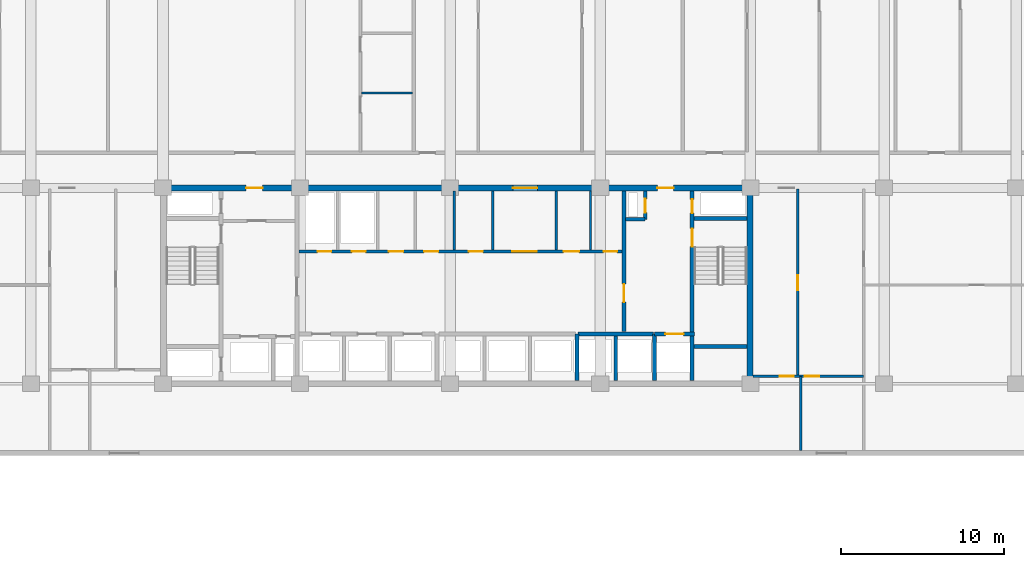
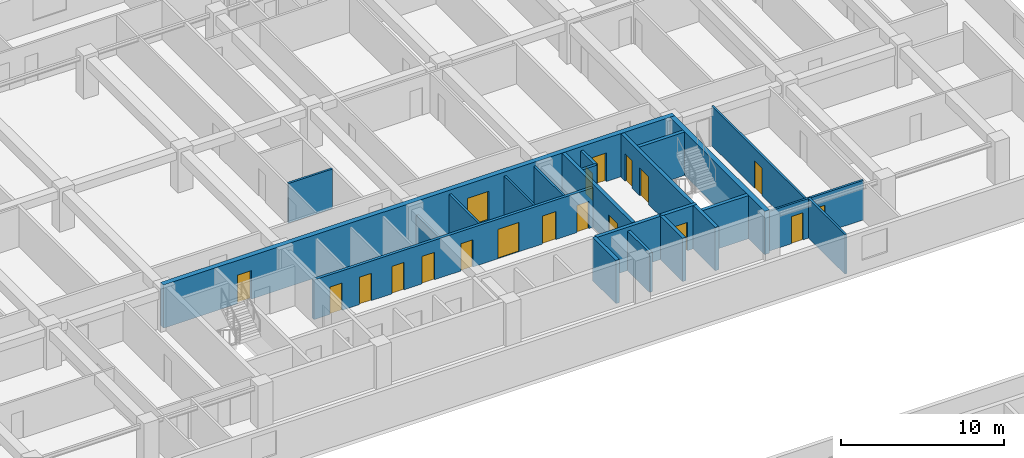
# One storey, part 12 of 23: 22 walls, 19 doors, 19 openings.
"""IFC4 building model written with IfcOpenShell, lengths in metres."""

from ifc_helpers import new_model, si_unit, direction, frame, frame_2d, origin, place, context, subcontext, project, spatial, rectangle, extrude, material, layer, layer_set, type_object, element, fill, save


model = new_model("IFC4")

# Units and contexts
model_context = context("Model", 3, precision=1e-05, world=origin(), true_north=direction((0.0, 1.0)))
body_context = subcontext(model_context, "Body", "Model", "MODEL_VIEW")
ifc_project = project(units=[si_unit("LENGTHUNIT", "METRE"), si_unit("AREAUNIT", "SQUARE_METRE"), si_unit("VOLUMEUNIT", "CUBIC_METRE"), si_unit("PLANEANGLEUNIT", "RADIAN"), si_unit("MASSUNIT", "GRAM", prefix="KILO")], contexts=[model_context])

# Site, building, storey
site_placement = place(None, origin())
site = spatial("IfcSite", under=ifc_project, at=site_placement, CompositionType="ELEMENT")
building_placement = place(site_placement, origin())
building = spatial("IfcBuilding", under=site, at=building_placement, Name="Korimba Cascade Residences", CompositionType="ELEMENT")
storey_placement = place(building_placement, frame((0.0, 0.0, 69.5)))
storey = spatial("IfcBuildingStorey", under=building, at=storey_placement, Name="L19", CompositionType="ELEMENT", Elevation=69.5)

# Wall
ifc_material_1 = material(Name="Concrete C65/80", Category="concrete")
ifc_layer_1 = layer(ifc_material_1, 0.35009765625)
ifc_layer_set_1 = layer_set([ifc_layer_1], Name="Concrete C65/80")
wall_type_1 = type_object("IfcWallType", Name="WAL-CORE-350", PredefinedType="SHEAR", material=ifc_layer_set_1)
wall_1_placement = place(storey_placement, frame((112.074951171875, 55.375, 0.0), z_axis=(0.0, 0.0, 1.0), x_axis=(0.0, 1.0, 0.0)))
element("IfcWall", 1, at=wall_1_placement, inside=storey, type_object=wall_type_1, Name="L19 Core Shear Wall CW-L19-T1-E", PredefinedType="SHEAR", context=body_context, shape_type="SweptSolid", body=[
    extrude(rectangle(XDim=11.64990234375, YDim=0.35009765625, at=frame_2d((5.824951171875, 0.0))), origin(), (0.0, 0.0, 1.0), 3.25),
])

# Wall, openings, doors
wall_2_placement = place(storey_placement, frame((75.949951171875, 67.199951171875, 0.0), z_axis=(0.0, 0.0, 1.0), x_axis=(1.0, 0.0, 0.0)))
wall_2 = element("IfcWall", 2, at=wall_2_placement, inside=storey, type_object=wall_type_1, Name="L19 Core Shear Wall CW-L19-T1-N", PredefinedType="SHEAR", context=body_context, shape_type="SweptSolid", body=[
    extrude(rectangle(XDim=36.300048828125, YDim=0.35009765625, at=frame_2d((18.14990234375, 0.0))), origin(), (0.0, 0.0, 1.0), 3.25),
])
opening_1_placement = place(wall_2_placement, frame((5.25, 0.0, 0.0)))
opening_1 = element("IfcOpeningElement", 3, at=opening_1_placement, cuts=wall_2, Name="Opening D-FD5", PredefinedType="OPENING", context=body_context, shape_type="SweptSolid", body=[
    extrude(rectangle(XDim=1.0, YDim=2.14990234375, at=frame_2d((0.5, 1.074951171875))), frame((0.0, 0.18505859375, 0.0), z_axis=(0.0, -1.0, 0.0), x_axis=(1.0, 0.0, 0.0)), (0.0, 0.0, 1.0), 0.3701171875),
])
opening_2_placement = place(wall_2_placement, frame((21.60009765625, 0.0, 0.0)))
opening_2 = element("IfcOpeningElement", 4, at=opening_2_placement, cuts=wall_2, Name="Opening D-FD8", PredefinedType="OPENING", context=body_context, shape_type="SweptSolid", body=[
    extrude(rectangle(XDim=1.5, YDim=2.199951171875, at=frame_2d((0.75, 1.10009765625))), frame((0.0, 0.18505859375, 0.0), z_axis=(0.0, -1.0, 0.0), x_axis=(1.0, 0.0, 0.0)), (0.0, 0.0, 1.0), 0.3701171875),
])
opening_3_placement = place(wall_2_placement, frame((30.449951171875, 0.0, 0.0)))
opening_3 = element("IfcOpeningElement", 5, at=opening_3_placement, cuts=wall_2, Name="Opening D-FD5", PredefinedType="OPENING", context=body_context, shape_type="SweptSolid", body=[
    extrude(rectangle(XDim=1.0, YDim=2.14990234375, at=frame_2d((0.5, 1.074951171875))), frame((0.0, 0.18505859375, 0.0), z_axis=(0.0, -1.0, 0.0), x_axis=(1.0, 0.0, 0.0)), (0.0, 0.0, 1.0), 0.3701171875),
])
ifc_material_2 = material(Name="Fire-Rated Acoustic Timber Vestibule Door", Category="wood")
door_type_1 = type_object("IfcDoorType", Name="DR-FD90-1000", OperationType="NOTDEFINED", PredefinedType="DOOR", material=ifc_material_2)
door_1_placement = place(opening_1_placement, origin())
door_1 = element("IfcDoor", 6, at=door_1_placement, inside=storey, type_object=door_type_1, Name="L19 T1 West Core Vestibule Fire Door", OperationType="SINGLE_SWING_LEFT", OverallHeight=2.14990234375, OverallWidth=1.0, PredefinedType="DOOR", context=body_context, shape_type="SweptSolid", body=[
    extrude(rectangle(XDim=1.0, YDim=2.14990234375, at=frame_2d((0.5, 1.074951171875))), frame((0.0, 0.02490234375, 0.0), z_axis=(0.0, -1.0, 0.0), x_axis=(1.0, 0.0, 0.0)), (0.0, 0.0, 1.0), 0.050048828125),
])
fill(opening_1, door_1)
door_2_placement = place(opening_3_placement, origin())
door_2 = element("IfcDoor", 7, at=door_2_placement, inside=storey, type_object=door_type_1, Name="L19 T1 East Firefighting Vestibule Fire Door", OperationType="SINGLE_SWING_RIGHT", OverallHeight=2.14990234375, OverallWidth=1.0, PredefinedType="DOOR", context=body_context, shape_type="SweptSolid", body=[
    extrude(rectangle(XDim=1.0, YDim=2.14990234375, at=frame_2d((0.5, 1.074951171875))), frame((0.0, 0.02490234375, 0.0), z_axis=(0.0, -1.0, 0.0), x_axis=(1.0, 0.0, 0.0)), (0.0, 0.0, 1.0), 0.050048828125),
])
fill(opening_3, door_2)
ifc_material_3 = material(Name="Fire-Rated Glazed Lift Lobby Double Door", Category="glass")
door_type_2 = type_object("IfcDoorType", Name="DR-FD90-1500", OperationType="NOTDEFINED", PredefinedType="DOOR", material=ifc_material_3)
door_3_placement = place(opening_2_placement, origin())
door_3 = element("IfcDoor", 8, at=door_3_placement, inside=storey, type_object=door_type_2, Name="L19 T1 Lift Lobby Fire Door", OperationType="DOUBLE_DOOR_SINGLE_SWING", OverallHeight=2.199951171875, OverallWidth=1.5, PredefinedType="DOOR", context=body_context, shape_type="SweptSolid", body=[
    extrude(rectangle(XDim=1.5, YDim=2.199951171875, at=frame_2d((0.75, 1.10009765625))), frame((0.0, 0.02490234375, 0.0), z_axis=(0.0, -1.0, 0.0), x_axis=(1.0, 0.0, 0.0)), (0.0, 0.0, 1.0), 0.050048828125),
])
fill(opening_2, door_3)

# Walls
ifc_material_4 = material(Name="Insulated Acoustic Stud Partition", Category="gypsum")
ifc_layer_2 = layer(ifc_material_4, 0.14990234375)
ifc_layer_set_2 = layer_set([ifc_layer_2], Name="Insulated Acoustic Stud Partition")
wall_type_2 = type_object("IfcWallType", Name="WAL-PART-150", PredefinedType="PARTITIONING", material=ifc_layer_set_2)
wall_3_placement = place(storey_placement, frame((93.949951171875, 63.39990234375, 0.0), z_axis=(0.0, 0.0, 1.0), x_axis=(0.0, 1.0, 0.0)))
element("IfcWall", 9, at=wall_3_placement, inside=storey, type_object=wall_type_2, Name="L19 Partition Wall CW-L19-T1-CA1W2", PredefinedType="PARTITIONING", context=body_context, shape_type="SweptSolid", body=[
    extrude(rectangle(XDim=3.60009765625, YDim=0.14990234375, at=frame_2d((1.800048828125, 0.0))), origin(), (0.0, 0.0, 1.0), 2.219970703125),
])
for number, where, z_axis, x_axis, name in (
    (10, (102.300048828125, 63.39990234375, 0.0), (0.0, 0.0, 1.0), (0.0, 1.0, 0.0), "L19 Partition Wall CW-L19-T1-CA1E1"),
    (11, (96.300048828125, 63.39990234375, 0.0), (0.0, 0.0, 1.0), (0.0, 1.0, 0.0), "L19 Partition Wall CW-L19-T1-THW"),
    (12, (100.199951171875, 63.39990234375, 0.0), (0.0, 0.0, 1.0), (0.0, 1.0, 0.0), "L19 Partition Wall CW-L19-T1-THE"),
):
    element("IfcWall", number, at=place(storey_placement, frame(where, z_axis=z_axis, x_axis=x_axis)), inside=storey, type_object=wall_type_2, Name=name, PredefinedType="PARTITIONING", context=body_context, shape_type="SweptSolid", body=[
        extrude(rectangle(XDim=3.60009765625, YDim=0.14990234375, at=frame_2d((1.800048828125, 0.0))), origin(), (0.0, 0.0, 1.0), 2.969970703125),
    ])

# Wall, opening, door
wall_4_placement = place(storey_placement, frame((115.0, 55.64990234375, 0.0), z_axis=(0.0, 0.0, 1.0), x_axis=(0.0, 1.0, 0.0)))
wall_4 = element("IfcWall", 13, at=wall_4_placement, inside=storey, type_object=wall_type_2, Name="L19 Partition Wall WAL-L19-T1-FE-VN", PredefinedType="PARTITIONING", context=body_context, shape_type="SweptSolid", body=[
    extrude(rectangle(XDim=11.5, YDim=0.14990234375, at=frame_2d((5.75, 0.0))), origin(), (0.0, 0.0, 1.0), 2.969970703125),
])
opening_4_placement = place(wall_4_placement, frame((5.2900390625, 0.0, 0.0)))
opening_4 = element("IfcOpeningElement", 14, at=opening_4_placement, cuts=wall_4, Name="Opening D-IN1", PredefinedType="OPENING", context=body_context, shape_type="SweptSolid", body=[
    extrude(rectangle(XDim=0.919921875, YDim=2.080078125, at=frame_2d((0.4599609375, 1.0400390625))), frame((0.0, 0.0849609375, 0.0), z_axis=(0.0, -1.0, 0.0), x_axis=(1.0, 0.0, 0.0)), (0.0, 0.0, 1.0), 0.169921875),
])
ifc_material_5 = material(Name="Acoustic Timber Living Door", Category="wood")
door_type_3 = type_object("IfcDoorType", Name="DR-INT-920", OperationType="NOTDEFINED", PredefinedType="DOOR", material=ifc_material_5)
door_4_placement = place(opening_4_placement, origin())
door_4 = element("IfcDoor", 15, at=door_4_placement, inside=storey, type_object=door_type_3, Name="L19-T1-FE Living Door", OperationType="SINGLE_SWING_RIGHT", OverallHeight=2.080078125, OverallWidth=0.919921875, PredefinedType="DOOR", context=body_context, shape_type="SweptSolid", body=[
    extrude(rectangle(XDim=0.919921875, YDim=2.080078125, at=frame_2d((0.4599609375, 1.0400390625))), frame((0.0, 0.02490234375, 0.0), z_axis=(0.0, -1.0, 0.0), x_axis=(1.0, 0.0, 0.0)), (0.0, 0.0, 1.0), 0.050048828125),
])
fill(opening_4, door_4)

# Wall
wall_5_placement = place(storey_placement, frame((115.199951171875, 51.10009765625, 0.0), z_axis=(0.0, 0.0, 1.0), x_axis=(0.0, 1.0, 0.0)))
element("IfcWall", 16, at=wall_5_placement, inside=storey, type_object=wall_type_2, Name="L19 Partition Wall WAL-L19-T1-FE-VS", PredefinedType="PARTITIONING", context=body_context, shape_type="SweptSolid", body=[
    extrude(rectangle(XDim=4.5498046875, YDim=0.14990234375, at=frame_2d((2.27490234375, 0.0))), origin(), (0.0, 0.0, 1.0), 2.969970703125),
])

# Wall, openings, doors
wall_6_placement = place(storey_placement, frame((112.27001953125, 55.64990234375, 0.0), z_axis=(0.0, 0.0, 1.0), x_axis=(1.0, 0.0, 0.0)))
wall_6 = element("IfcWall", 17, at=wall_6_placement, inside=storey, type_object=wall_type_2, Name="L19 Partition Wall WAL-L19-T1-FE-H", PredefinedType="PARTITIONING", context=body_context, shape_type="SweptSolid", body=[
    extrude(rectangle(XDim=6.760009765625, YDim=0.14990234375, at=frame_2d((3.3798828125, 0.0))), origin(), (0.0, 0.0, 1.0), 2.969970703125),
])
opening_5_placement = place(wall_6_placement, frame((1.6396484375, 0.0, 0.0)))
opening_5 = element("IfcOpeningElement", 18, at=opening_5_placement, cuts=wall_6, Name="Opening D-BT1", PredefinedType="OPENING", context=body_context, shape_type="SweptSolid", body=[
    extrude(rectangle(XDim=0.840087890625, YDim=2.0400390625, at=frame_2d((0.419921875, 1.02001953125))), frame((0.0, 0.0849609375, 0.0), z_axis=(0.0, -1.0, 0.0), x_axis=(1.0, 0.0, 0.0)), (0.0, 0.0, 1.0), 0.169921875),
])
opening_6_placement = place(wall_6_placement, frame((3.160400390625, 0.0, 0.0)))
opening_6 = element("IfcOpeningElement", 19, at=opening_6_placement, cuts=wall_6, Name="Opening D-IN2", PredefinedType="OPENING", context=body_context, shape_type="SweptSolid", body=[
    extrude(rectangle(XDim=0.8798828125, YDim=2.06005859375, at=frame_2d((0.43994140625, 1.030029296875))), frame((0.0, 0.0849609375, 0.0), z_axis=(0.0, -1.0, 0.0), x_axis=(1.0, 0.0, 0.0)), (0.0, 0.0, 1.0), 0.169921875),
])
ifc_material_6 = material(Name="Moisture-Resistant Bathroom Timber Door", Category="wood")
door_type_4 = type_object("IfcDoorType", Name="DR-INT-850", OperationType="NOTDEFINED", PredefinedType="DOOR", material=ifc_material_6)
door_5_placement = place(opening_5_placement, origin())
door_5 = element("IfcDoor", 20, at=door_5_placement, inside=storey, type_object=door_type_4, Name="L19-T1-FE Bathroom Door", OperationType="SINGLE_SWING_LEFT", OverallHeight=2.0400390625, OverallWidth=0.840087890625, PredefinedType="DOOR", context=body_context, shape_type="SweptSolid", body=[
    extrude(rectangle(XDim=0.840087890625, YDim=2.0400390625, at=frame_2d((0.419921875, 1.02001953125))), frame((0.0, 0.02490234375, 0.0), z_axis=(0.0, -1.0, 0.0), x_axis=(1.0, 0.0, 0.0)), (0.0, 0.0, 1.0), 0.050048828125),
])
fill(opening_5, door_5)
ifc_material_7 = material(Name="Acoustic Timber Bedroom Door", Category="wood")
door_type_5 = type_object("IfcDoorType", Name="DR-INT-880", OperationType="NOTDEFINED", PredefinedType="DOOR", material=ifc_material_7)
door_6_placement = place(opening_6_placement, origin())
door_6 = element("IfcDoor", 21, at=door_6_placement, inside=storey, type_object=door_type_5, Name="L19-T1-FE Bedroom Door", OperationType="SINGLE_SWING_RIGHT", OverallHeight=2.06005859375, OverallWidth=0.8798828125, PredefinedType="DOOR", context=body_context, shape_type="SweptSolid", body=[
    extrude(rectangle(XDim=0.8798828125, YDim=2.06005859375, at=frame_2d((0.43994140625, 1.030029296875))), frame((0.0, 0.02490234375, 0.0), z_axis=(0.0, -1.0, 0.0), x_axis=(1.0, 0.0, 0.0)), (0.0, 0.0, 1.0), 0.050048828125),
])
fill(opening_6, door_6)

# Walls
wall_7_placement = place(storey_placement, frame((88.2509765625, 73.02001953125, 0.0), z_axis=(0.0, 0.0, 1.0), x_axis=(1.0, 0.0, 0.0)))
element("IfcWall", 22, at=wall_7_placement, inside=storey, type_object=wall_type_2, Name="L19 Partition Wall WAL-L19-T1-U02-WCH", PredefinedType="PARTITIONING", context=body_context, shape_type="SweptSolid", body=[
    extrude(rectangle(XDim=3.1298828125, YDim=0.14990234375, at=frame_2d((1.56494140625, 0.0))), origin(), (0.0, 0.0, 1.0), 2.969970703125),
])
ifc_material_8 = material(Name="Concrete C40/50", Category="concrete")
ifc_layer_3 = layer(ifc_material_8, 0.199951171875)
ifc_layer_set_3 = layer_set([ifc_layer_3], Name="Concrete C40/50")
wall_type_3 = type_object("IfcWallType", Name="WAL-PART-200", PredefinedType="PARTITIONING", material=ifc_layer_set_3)
wall_8_placement = place(storey_placement, frame((103.85009765625, 55.39990234375, 0.0), z_axis=(0.0, 0.0, 1.0), x_axis=(0.0, 1.0, 0.0)))
element("IfcWall", 23, at=wall_8_placement, inside=storey, type_object=wall_type_3, Name="L19 Partition Wall CW-L19-T1-B3D1", PredefinedType="PARTITIONING", context=body_context, shape_type="SweptSolid", body=[
    extrude(rectangle(XDim=2.72021484375, YDim=0.199951171875, at=frame_2d((1.360107421875, 0.0))), origin(), (0.0, 0.0, 1.0), 2.969970703125),
])

# Wall, openings, doors
wall_9_placement = place(storey_placement, frame((84.419921875, 63.300048828125, 0.0), z_axis=(0.0, 0.0, 1.0), x_axis=(1.0, 0.0, 0.0)))
wall_9 = element("IfcWall", 24, at=wall_9_placement, inside=storey, type_object=wall_type_3, Name="L19 Partition Wall CW-L19-T1-SRVROW", PredefinedType="PARTITIONING", context=body_context, shape_type="SweptSolid", body=[
    extrude(rectangle(XDim=19.830078125, YDim=0.199951171875, at=frame_2d((9.9150390625, 0.0))), origin(), (0.0, 0.0, 1.0), 2.969970703125),
])
opening_7_placement = place(wall_9_placement, frame((1.14990234375, 0.0, 0.0)))
opening_7 = element("IfcOpeningElement", 25, at=opening_7_placement, cuts=wall_9, Name="Opening D-RS1", PredefinedType="OPENING", context=body_context, shape_type="SweptSolid", body=[
    extrude(rectangle(XDim=0.85009765625, YDim=2.050048828125, at=frame_2d((0.425048828125, 1.02490234375))), frame((0.0, 0.10986328125, 0.0), z_axis=(0.0, -1.0, 0.0), x_axis=(1.0, 0.0, 0.0)), (0.0, 0.0, 1.0), 0.219970703125),
])
opening_8_placement = place(wall_9_placement, frame((3.25, 0.0, 0.0)))
opening_8 = element("IfcOpeningElement", 26, at=opening_8_placement, cuts=wall_9, Name="Opening D-RS1", PredefinedType="OPENING", context=body_context, shape_type="SweptSolid", body=[
    extrude(rectangle(XDim=0.85009765625, YDim=2.050048828125, at=frame_2d((0.425048828125, 1.02490234375))), frame((0.0, 0.10986328125, 0.0), z_axis=(0.0, -1.0, 0.0), x_axis=(1.0, 0.0, 0.0)), (0.0, 0.0, 1.0), 0.219970703125),
])
opening_9_placement = place(wall_9_placement, frame((13.080078125, 0.0, 0.0)))
opening_9 = element("IfcOpeningElement", 27, at=opening_9_placement, cuts=wall_9, Name="Opening D-FD8", PredefinedType="OPENING", context=body_context, shape_type="SweptSolid", body=[
    extrude(rectangle(XDim=1.5, YDim=2.199951171875, at=frame_2d((0.75, 1.10009765625))), frame((0.0, 0.10986328125, 0.0), z_axis=(0.0, -1.0, 0.0), x_axis=(1.0, 0.0, 0.0)), (0.0, 0.0, 1.0), 0.219970703125),
])
opening_10_placement = place(wall_9_placement, frame((5.530029296875, 0.0, 0.0)))
opening_10 = element("IfcOpeningElement", 28, at=opening_10_placement, cuts=wall_9, Name="Opening D-IN2", PredefinedType="OPENING", context=body_context, shape_type="SweptSolid", body=[
    extrude(rectangle(XDim=0.8798828125, YDim=2.06005859375, at=frame_2d((0.43994140625, 1.030029296875))), frame((0.0, 0.10986328125, 0.0), z_axis=(0.0, -1.0, 0.0), x_axis=(1.0, 0.0, 0.0)), (0.0, 0.0, 1.0), 0.219970703125),
])
opening_11_placement = place(wall_9_placement, frame((7.679931640625, 0.0, 0.0)))
opening_11 = element("IfcOpeningElement", 29, at=opening_11_placement, cuts=wall_9, Name="Opening D-IN2", PredefinedType="OPENING", context=body_context, shape_type="SweptSolid", body=[
    extrude(rectangle(XDim=0.8798828125, YDim=2.06005859375, at=frame_2d((0.43994140625, 1.030029296875))), frame((0.0, 0.10986328125, 0.0), z_axis=(0.0, -1.0, 0.0), x_axis=(1.0, 0.0, 0.0)), (0.0, 0.0, 1.0), 0.219970703125),
])
opening_12_placement = place(wall_9_placement, frame((10.429931640625, 0.0, 0.0)))
opening_12 = element("IfcOpeningElement", 30, at=opening_12_placement, cuts=wall_9, Name="Opening D-RS1", PredefinedType="OPENING", context=body_context, shape_type="SweptSolid", body=[
    extrude(rectangle(XDim=0.85009765625, YDim=2.050048828125, at=frame_2d((0.425048828125, 1.02490234375))), frame((0.0, 0.10986328125, 0.0), z_axis=(0.0, -1.0, 0.0), x_axis=(1.0, 0.0, 0.0)), (0.0, 0.0, 1.0), 0.219970703125),
])
opening_13_placement = place(wall_9_placement, frame((16.22998046875, 0.0, 0.0)))
opening_13 = element("IfcOpeningElement", 31, at=opening_13_placement, cuts=wall_9, Name="Opening D-AC1", PredefinedType="OPENING", context=body_context, shape_type="SweptSolid", body=[
    extrude(rectangle(XDim=0.9599609375, YDim=2.10009765625, at=frame_2d((0.47998046875, 1.050048828125))), frame((0.0, 0.10986328125, 0.0), z_axis=(0.0, -1.0, 0.0), x_axis=(1.0, 0.0, 0.0)), (0.0, 0.0, 1.0), 0.219970703125),
])
opening_14_placement = place(wall_9_placement, frame((18.679931640625, 0.0, 0.0)))
opening_14 = element("IfcOpeningElement", 32, at=opening_14_placement, cuts=wall_9, Name="Opening D-BT1", PredefinedType="OPENING", context=body_context, shape_type="SweptSolid", body=[
    extrude(rectangle(XDim=0.840087890625, YDim=2.0400390625, at=frame_2d((0.419921875, 1.02001953125))), frame((0.0, 0.10986328125, 0.0), z_axis=(0.0, -1.0, 0.0), x_axis=(1.0, 0.0, 0.0)), (0.0, 0.0, 1.0), 0.219970703125),
])
ifc_material_9 = material(Name="Accessible Acoustic Timber WC Door", Category="wood")
door_type_6 = type_object("IfcDoorType", Name="DR-ACC-950", OperationType="NOTDEFINED", PredefinedType="DOOR", material=ifc_material_9)
door_7_placement = place(opening_13_placement, origin())
door_7 = element("IfcDoor", 33, at=door_7_placement, inside=storey, type_object=door_type_6, Name="L19 Accessible Staff WC Door", OperationType="SINGLE_SWING_RIGHT", OverallHeight=2.10009765625, OverallWidth=0.9599609375, PredefinedType="DOOR", context=body_context, shape_type="SweptSolid", body=[
    extrude(rectangle(XDim=0.9599609375, YDim=2.10009765625, at=frame_2d((0.47998046875, 1.050048828125))), frame((0.0, 0.02490234375, 0.0), z_axis=(0.0, -1.0, 0.0), x_axis=(1.0, 0.0, 0.0)), (0.0, 0.0, 1.0), 0.050048828125),
])
fill(opening_13, door_7)
ifc_material_10 = material(Name="Fire-Rated Steel Riser Access Door", Category="steel")
door_type_7 = type_object("IfcDoorType", Name="DR-FD60-850", OperationType="NOTDEFINED", PredefinedType="DOOR", material=ifc_material_10)
door_8_placement = place(opening_7_placement, origin())
door_8 = element("IfcDoor", 34, at=door_8_placement, inside=storey, type_object=door_type_7, Name="L19 Electrical Riser Door", OperationType="SINGLE_SWING_LEFT", OverallHeight=2.050048828125, OverallWidth=0.85009765625, PredefinedType="DOOR", context=body_context, shape_type="SweptSolid", body=[
    extrude(rectangle(XDim=0.85009765625, YDim=2.050048828125, at=frame_2d((0.425048828125, 1.02490234375))), frame((0.0, 0.02490234375, 0.0), z_axis=(0.0, -1.0, 0.0), x_axis=(1.0, 0.0, 0.0)), (0.0, 0.0, 1.0), 0.050048828125),
])
fill(opening_7, door_8)
door_9_placement = place(opening_8_placement, origin())
door_9 = element("IfcDoor", 35, at=door_9_placement, inside=storey, type_object=door_type_7, Name="L19 Plumbing Riser Door", OperationType="SINGLE_SWING_RIGHT", OverallHeight=2.050048828125, OverallWidth=0.85009765625, PredefinedType="DOOR", context=body_context, shape_type="SweptSolid", body=[
    extrude(rectangle(XDim=0.85009765625, YDim=2.050048828125, at=frame_2d((0.425048828125, 1.02490234375))), frame((0.0, 0.02490234375, 0.0), z_axis=(0.0, -1.0, 0.0), x_axis=(1.0, 0.0, 0.0)), (0.0, 0.0, 1.0), 0.050048828125),
])
fill(opening_8, door_9)
door_10_placement = place(opening_12_placement, origin())
door_10 = element("IfcDoor", 36, at=door_10_placement, inside=storey, type_object=door_type_7, Name="L19 IT Room Door", OperationType="SINGLE_SWING_LEFT", OverallHeight=2.050048828125, OverallWidth=0.85009765625, PredefinedType="DOOR", context=body_context, shape_type="SweptSolid", body=[
    extrude(rectangle(XDim=0.85009765625, YDim=2.050048828125, at=frame_2d((0.425048828125, 1.02490234375))), frame((0.0, 0.02490234375, 0.0), z_axis=(0.0, -1.0, 0.0), x_axis=(1.0, 0.0, 0.0)), (0.0, 0.0, 1.0), 0.050048828125),
])
fill(opening_12, door_10)
door_11_placement = place(opening_9_placement, origin())
door_11 = element("IfcDoor", 37, at=door_11_placement, inside=storey, type_object=door_type_2, Name="L19 Lift Lobby Foyer Archway Door", OperationType="DOUBLE_DOOR_SINGLE_SWING", OverallHeight=2.199951171875, OverallWidth=1.5, PredefinedType="DOOR", context=body_context, shape_type="SweptSolid", body=[
    extrude(rectangle(XDim=1.5, YDim=2.199951171875, at=frame_2d((0.75, 1.10009765625))), frame((0.0, 0.02490234375, 0.0), z_axis=(0.0, -1.0, 0.0), x_axis=(1.0, 0.0, 0.0)), (0.0, 0.0, 1.0), 0.050048828125),
])
fill(opening_9, door_11)
door_12_placement = place(opening_14_placement, origin())
door_12 = element("IfcDoor", 38, at=door_12_placement, inside=storey, type_object=door_type_4, Name="L19 Vending Room Door", OperationType="SINGLE_SWING_LEFT", OverallHeight=2.0400390625, OverallWidth=0.840087890625, PredefinedType="DOOR", context=body_context, shape_type="SweptSolid", body=[
    extrude(rectangle(XDim=0.840087890625, YDim=2.0400390625, at=frame_2d((0.419921875, 1.02001953125))), frame((0.0, 0.02490234375, 0.0), z_axis=(0.0, -1.0, 0.0), x_axis=(1.0, 0.0, 0.0)), (0.0, 0.0, 1.0), 0.050048828125),
])
fill(opening_14, door_12)
door_13_placement = place(opening_10_placement, origin())
door_13 = element("IfcDoor", 39, at=door_13_placement, inside=storey, type_object=door_type_5, Name="L19 Cleaners Door", OperationType="SINGLE_SWING_LEFT", OverallHeight=2.06005859375, OverallWidth=0.8798828125, PredefinedType="DOOR", context=body_context, shape_type="SweptSolid", body=[
    extrude(rectangle(XDim=0.8798828125, YDim=2.06005859375, at=frame_2d((0.43994140625, 1.030029296875))), frame((0.0, 0.02490234375, 0.0), z_axis=(0.0, -1.0, 0.0), x_axis=(1.0, 0.0, 0.0)), (0.0, 0.0, 1.0), 0.050048828125),
])
fill(opening_10, door_13)
door_14_placement = place(opening_11_placement, origin())
door_14 = element("IfcDoor", 40, at=door_14_placement, inside=storey, type_object=door_type_5, Name="L19 Pantry Door", OperationType="SINGLE_SWING_RIGHT", OverallHeight=2.06005859375, OverallWidth=0.8798828125, PredefinedType="DOOR", context=body_context, shape_type="SweptSolid", body=[
    extrude(rectangle(XDim=0.8798828125, YDim=2.06005859375, at=frame_2d((0.43994140625, 1.030029296875))), frame((0.0, 0.02490234375, 0.0), z_axis=(0.0, -1.0, 0.0), x_axis=(1.0, 0.0, 0.0)), (0.0, 0.0, 1.0), 0.050048828125),
])
fill(opening_11, door_14)

# Wall
wall_10_placement = place(storey_placement, frame((104.449951171875, 65.280029296875, 0.0), z_axis=(0.0, 0.0, 1.0), x_axis=(1.0, 0.0, 0.0)))
element("IfcWall", 41, at=wall_10_placement, inside=storey, type_object=wall_type_3, Name="L19 Partition Wall CW-L19-T1-HYDW2S", PredefinedType="PARTITIONING", context=body_context, shape_type="SweptSolid", body=[
    extrude(rectangle(XDim=1.199951171875, YDim=0.199951171875, at=frame_2d((0.60009765625, 0.0))), origin(), (0.0, 0.0, 1.0), 2.969970703125),
])

# Wall, opening, door
wall_11_placement = place(storey_placement, frame((105.64990234375, 65.280029296875, 0.0), z_axis=(0.0, 0.0, 1.0), x_axis=(0.0, 1.0, 0.0)))
wall_11 = element("IfcWall", 42, at=wall_11_placement, inside=storey, type_object=wall_type_3, Name="L19 Partition Wall CW-L19-T1-HYDW2E", PredefinedType="PARTITIONING", context=body_context, shape_type="SweptSolid", body=[
    extrude(rectangle(XDim=1.719970703125, YDim=0.199951171875, at=frame_2d((0.85986328125, 0.0))), origin(), (0.0, 0.0, 1.0), 2.969970703125),
])
opening_15_placement = place(wall_11_placement, frame((0.39990234375, 0.0, 0.0)))
opening_15 = element("IfcOpeningElement", 43, at=opening_15_placement, cuts=wall_11, Name="Opening D-RS1", PredefinedType="OPENING", context=body_context, shape_type="SweptSolid", body=[
    extrude(rectangle(XDim=0.85009765625, YDim=2.050048828125, at=frame_2d((0.425048828125, 1.02490234375))), frame((0.0, 0.10986328125, 0.0), z_axis=(0.0, -1.0, 0.0), x_axis=(1.0, 0.0, 0.0)), (0.0, 0.0, 1.0), 0.219970703125),
])
door_15_placement = place(opening_15_placement, origin())
door_15 = element("IfcDoor", 44, at=door_15_placement, inside=storey, type_object=door_type_7, Name="L19 East Hydrant Door", OperationType="SINGLE_SWING_RIGHT", OverallHeight=2.050048828125, OverallWidth=0.85009765625, PredefinedType="DOOR", context=body_context, shape_type="SweptSolid", body=[
    extrude(rectangle(XDim=0.85009765625, YDim=2.050048828125, at=frame_2d((0.425048828125, 1.02490234375))), frame((0.0, 0.02490234375, 0.0), z_axis=(0.0, -1.0, 0.0), x_axis=(1.0, 0.0, 0.0)), (0.0, 0.0, 1.0), 0.050048828125),
])
fill(opening_15, door_15)

# Walls
ifc_material_11 = material(Name="Concrete C50/60", Category="concrete")
ifc_layer_4 = layer(ifc_material_11, 0.25)
ifc_layer_set_4 = layer_set([ifc_layer_4], Name="Concrete C50/60")
wall_type_4 = type_object("IfcWallType", Name="WAL-SHAFT-250", PredefinedType="SHEAR", material=ifc_layer_set_4)
wall_12_placement = place(storey_placement, frame((101.47998046875, 55.39990234375, 0.0), z_axis=(0.0, 0.0, 1.0), x_axis=(0.0, 1.0, 0.0)))
element("IfcWall", 45, at=wall_12_placement, inside=storey, type_object=wall_type_4, Name="L19 Core Shear Wall CW-L19-T1-B23DIV", PredefinedType="SHEAR", context=body_context, shape_type="SweptSolid", body=[
    extrude(rectangle(XDim=2.85009765625, YDim=0.25, at=frame_2d((1.425048828125, 0.0))), origin(), (0.0, 0.0, 1.0), 3.25),
])
wall_13_placement = place(storey_placement, frame((101.550048828125, 58.25, 0.0), z_axis=(0.0, 0.0, 1.0), x_axis=(1.0, 0.0, 0.0)))
element("IfcWall", 46, at=wall_13_placement, inside=storey, type_object=wall_type_4, Name="L19 Core Shear Wall CW-L19-T1-B3N", PredefinedType="SHEAR", context=body_context, shape_type="SweptSolid", body=[
    extrude(rectangle(XDim=4.599853515625, YDim=0.25, at=frame_2d((2.2998046875, 0.0))), origin(), (0.0, 0.0, 1.0), 3.25),
])
wall_14_placement = place(storey_placement, frame((106.219970703125, 55.39990234375, 0.0), z_axis=(0.0, 0.0, 1.0), x_axis=(0.0, 1.0, 0.0)))
element("IfcWall", 47, at=wall_14_placement, inside=storey, type_object=wall_type_4, Name="L19 Core Shear Wall CW-L19-T1-FF2W", PredefinedType="SHEAR", context=body_context, shape_type="SweptSolid", body=[
    extrude(rectangle(XDim=2.85009765625, YDim=0.25, at=frame_2d((1.425048828125, 0.0))), origin(), (0.0, 0.0, 1.0), 3.25),
])

# Wall, opening, door
wall_15_placement = place(storey_placement, frame((106.219970703125, 58.25, 0.0), z_axis=(0.0, 0.0, 1.0), x_axis=(1.0, 0.0, 0.0)))
wall_15 = element("IfcWall", 48, at=wall_15_placement, inside=storey, type_object=wall_type_4, Name="L19 Core Shear Wall CW-L19-T1-FF2N", PredefinedType="SHEAR", context=body_context, shape_type="SweptSolid", body=[
    extrude(rectangle(XDim=2.4599609375, YDim=0.25, at=frame_2d((1.22998046875, 0.0))), origin(), (0.0, 0.0, 1.0), 3.25),
])
opening_16_placement = place(wall_15_placement, frame((0.669921875, 0.0, 0.0)))
opening_16 = element("IfcOpeningElement", 49, at=opening_16_placement, cuts=wall_15, Name="Opening LD-01", PredefinedType="OPENING", context=body_context, shape_type="SweptSolid", body=[
    extrude(rectangle(XDim=1.1201171875, YDim=2.1201171875, at=frame_2d((0.56005859375, 1.06005859375))), frame((0.0, 0.135009765625, 0.0), z_axis=(0.0, -1.0, 0.0), x_axis=(1.0, 0.0, 0.0)), (0.0, 0.0, 1.0), 0.27001953125),
])
ifc_material_12 = material(Name="Stainless Steel Lift Landing Sliding Door", Category="steel")
door_type_8 = type_object("IfcDoorType", Name="DR-LIFT-1100", OperationType="NOTDEFINED", PredefinedType="DOOR", material=ifc_material_12)
door_16_placement = place(opening_16_placement, origin())
door_16 = element("IfcDoor", 50, at=door_16_placement, inside=storey, type_object=door_type_8, Name="L19 Firefighting Lift Landing Door FFL-W2", OperationType="SLIDING_TO_RIGHT", OverallHeight=2.1201171875, OverallWidth=1.1201171875, PredefinedType="DOOR", context=body_context, shape_type="SweptSolid", body=[
    extrude(rectangle(XDim=1.1201171875, YDim=2.1201171875, at=frame_2d((0.56005859375, 1.06005859375))), frame((0.0, 0.02490234375, 0.0), z_axis=(0.0, -1.0, 0.0), x_axis=(1.0, 0.0, 0.0)), (0.0, 0.0, 1.0), 0.050048828125),
])
fill(opening_16, door_16)

wall_16_placement = place(storey_placement, frame((104.35009765625, 58.39990234375, 0.0), z_axis=(0.0, 0.0, 1.0), x_axis=(0.0, 1.0, 0.0)))
wall_16 = element("IfcWall", 51, at=wall_16_placement, inside=storey, type_object=wall_type_4, Name="L19 Core Shear Wall CW-L19-T1-LLEV", PredefinedType="SHEAR", context=body_context, shape_type="SweptSolid", body=[
    extrude(rectangle(XDim=8.60009765625, YDim=0.25, at=frame_2d((4.300048828125, 0.0))), origin(), (0.0, 0.0, 1.0), 3.25),
])
opening_17_placement = place(wall_16_placement, frame((1.800048828125, 0.0, 0.0)))
opening_17 = element("IfcOpeningElement", 52, at=opening_17_placement, cuts=wall_16, Name="Opening D-FD1", PredefinedType="OPENING", context=body_context, shape_type="SweptSolid", body=[
    extrude(rectangle(XDim=1.10009765625, YDim=2.10009765625, at=frame_2d((0.550048828125, 1.050048828125))), frame((0.0, 0.135009765625, 0.0), z_axis=(0.0, -1.0, 0.0), x_axis=(1.0, 0.0, 0.0)), (0.0, 0.0, 1.0), 0.27001953125),
])
ifc_material_13 = material(Name="Fire-Rated Steel Core Door", Category="steel")
door_type_9 = type_object("IfcDoorType", Name="DR-FD120-1100", OperationType="NOTDEFINED", PredefinedType="DOOR", material=ifc_material_13)
door_17_placement = place(opening_17_placement, origin())
door_17 = element("IfcDoor", 53, at=door_17_placement, inside=storey, type_object=door_type_9, Name="L19 Lift Lobby to East Firefighting Lobby Door", OperationType="SINGLE_SWING_LEFT", OverallHeight=2.10009765625, OverallWidth=1.10009765625, PredefinedType="DOOR", context=body_context, shape_type="SweptSolid", body=[
    extrude(rectangle(XDim=1.10009765625, YDim=2.10009765625, at=frame_2d((0.550048828125, 1.050048828125))), frame((0.0, 0.02490234375, 0.0), z_axis=(0.0, -1.0, 0.0), x_axis=(1.0, 0.0, 0.0)), (0.0, 0.0, 1.0), 0.050048828125),
])
fill(opening_17, door_17)

# Wall, openings, doors
wall_17_placement = place(storey_placement, frame((108.534912109375, 55.39990234375, 0.0), z_axis=(0.0, 0.0, 1.0), x_axis=(0.0, 1.0, 0.0)))
wall_17 = element("IfcWall", 54, at=wall_17_placement, inside=storey, type_object=wall_type_4, Name="L19 Core Shear Wall CW-L19-T1-STW2W", PredefinedType="SHEAR", context=body_context, shape_type="SweptSolid", body=[
    extrude(rectangle(XDim=11.60009765625, YDim=0.25, at=frame_2d((5.800048828125, 0.0))), origin(), (0.0, 0.0, 1.0), 3.25),
])
opening_18_placement = place(wall_17_placement, frame((8.199951171875, 0.0, 0.0)))
opening_18 = element("IfcOpeningElement", 55, at=opening_18_placement, cuts=wall_17, Name="Opening D-FD1", PredefinedType="OPENING", context=body_context, shape_type="SweptSolid", body=[
    extrude(rectangle(XDim=1.10009765625, YDim=2.10009765625, at=frame_2d((0.550048828125, 1.050048828125))), frame((0.0, 0.135009765625, 0.0), z_axis=(0.0, -1.0, 0.0), x_axis=(1.0, 0.0, 0.0)), (0.0, 0.0, 1.0), 0.27001953125),
])
opening_19_placement = place(wall_17_placement, frame((10.25, 0.0, 0.0)))
opening_19 = element("IfcOpeningElement", 56, at=opening_19_placement, cuts=wall_17, Name="Opening D-RS1", PredefinedType="OPENING", context=body_context, shape_type="SweptSolid", body=[
    extrude(rectangle(XDim=0.85009765625, YDim=2.050048828125, at=frame_2d((0.425048828125, 1.02490234375))), frame((0.0, 0.135009765625, 0.0), z_axis=(0.0, -1.0, 0.0), x_axis=(1.0, 0.0, 0.0)), (0.0, 0.0, 1.0), 0.27001953125),
])
door_18_placement = place(opening_18_placement, origin())
door_18 = element("IfcDoor", 57, at=door_18_placement, inside=storey, type_object=door_type_9, Name="L19 Fire Stair ST-W2 Door", OperationType="SINGLE_SWING_RIGHT", OverallHeight=2.10009765625, OverallWidth=1.10009765625, PredefinedType="DOOR", context=body_context, shape_type="SweptSolid", body=[
    extrude(rectangle(XDim=1.10009765625, YDim=2.10009765625, at=frame_2d((0.550048828125, 1.050048828125))), frame((0.0, 0.02490234375, 0.0), z_axis=(0.0, -1.0, 0.0), x_axis=(1.0, 0.0, 0.0)), (0.0, 0.0, 1.0), 0.050048828125),
])
fill(opening_18, door_18)
door_19_placement = place(opening_19_placement, origin())
door_19 = element("IfcDoor", 58, at=door_19_placement, inside=storey, type_object=door_type_7, Name="L19 East Riser Door", OperationType="SINGLE_SWING_LEFT", OverallHeight=2.050048828125, OverallWidth=0.85009765625, PredefinedType="DOOR", context=body_context, shape_type="SweptSolid", body=[
    extrude(rectangle(XDim=0.85009765625, YDim=2.050048828125, at=frame_2d((0.425048828125, 1.02490234375))), frame((0.0, 0.02490234375, 0.0), z_axis=(0.0, -1.0, 0.0), x_axis=(1.0, 0.0, 0.0)), (0.0, 0.0, 1.0), 0.050048828125),
])
fill(opening_19, door_19)

# Walls
for number, where, z_axis, x_axis, name in (
    (59, (108.659912109375, 57.47509765625, 0.0), (0.0, 0.0, 1.0), (1.0, 0.0, 0.0), "L19 Core Shear Wall CW-L19-T1-STW2S"),
    (60, (108.659912109375, 65.324951171875, 0.0), (0.0, 0.0, 1.0), (1.0, 0.0, 0.0), "L19 Core Shear Wall CW-L19-T1-STW2N"),
):
    element("IfcWall", number, at=place(storey_placement, frame(where, z_axis=z_axis, x_axis=x_axis)), inside=storey, type_object=wall_type_4, Name=name, PredefinedType="SHEAR", context=body_context, shape_type="SweptSolid", body=[
        extrude(rectangle(XDim=3.239990234375, YDim=0.25, at=frame_2d((1.6201171875, 0.0))), origin(), (0.0, 0.0, 1.0), 3.25),
    ])

save(model, "model.ifc")
